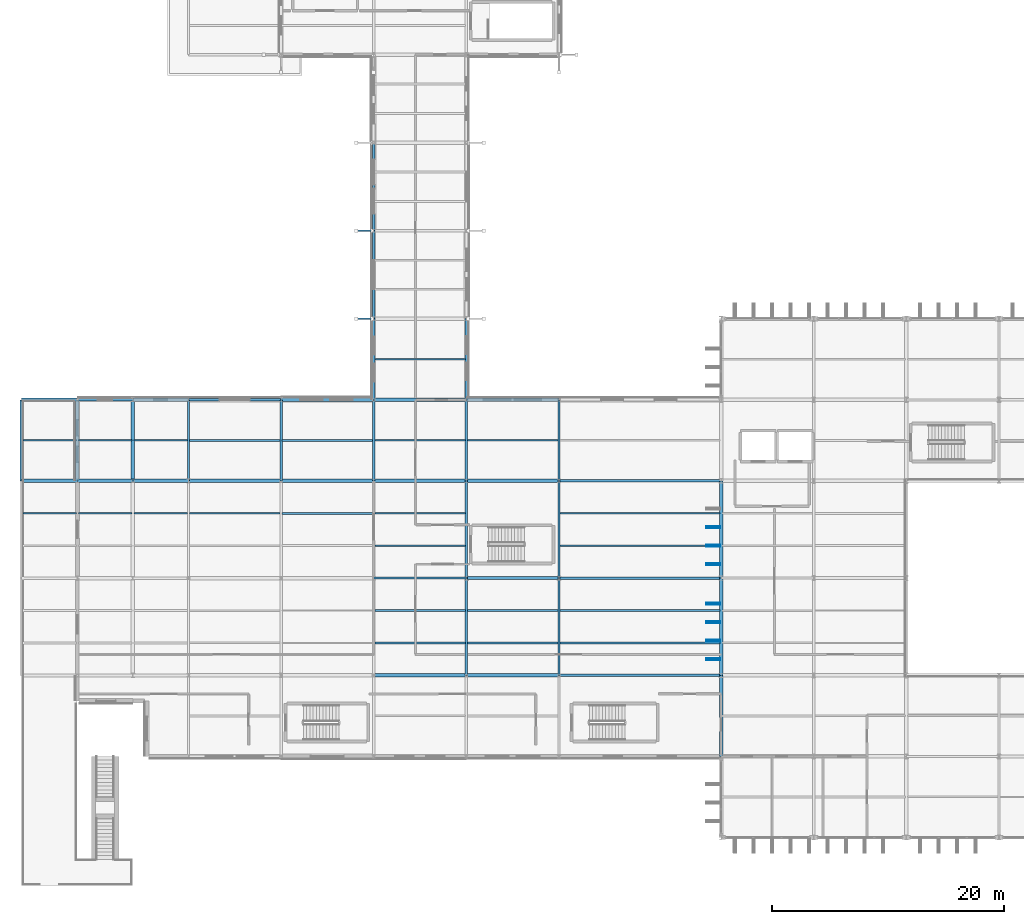
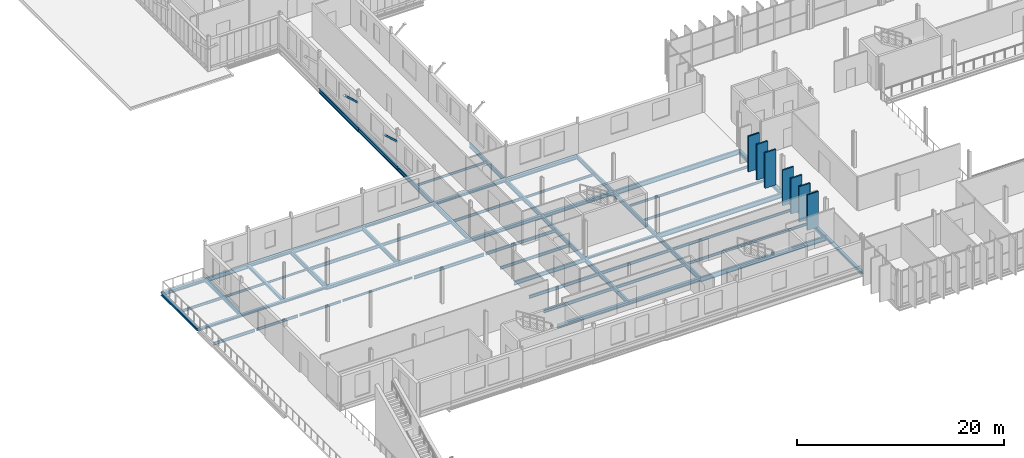
# One storey, part 20 of 101: 63 beams, 9 members.
"""IFC4 building model written with IfcOpenShell, lengths in metres."""

from ifc_helpers import new_model, si_unit, direction, frame, origin, origin_2d, place, context, subcontext, project, spatial, hollow_rectangle, i_section, extrude, material, material_profile, profile_set, type_object, element, save


model = new_model("IFC4")

# Units and contexts
model_context = context("Model", 3, precision=1e-05, world=origin(), true_north=direction((0.0, 1.0)))
body_context = subcontext(model_context, "Body", "Model", "MODEL_VIEW")
ifc_project = project(units=[si_unit("LENGTHUNIT", "METRE"), si_unit("AREAUNIT", "SQUARE_METRE"), si_unit("VOLUMEUNIT", "CUBIC_METRE"), si_unit("PLANEANGLEUNIT", "RADIAN"), si_unit("MASSUNIT", "GRAM", prefix="KILO")], contexts=[model_context])

# Site, building, storey
site_placement = place(None, origin())
site = spatial("IfcSite", under=ifc_project, at=site_placement, CompositionType="ELEMENT")
building_placement = place(site_placement, origin())
building = spatial("IfcBuilding", under=site, at=building_placement, Name="Vekula Escarpment Museum", CompositionType="ELEMENT")
storey_placement = place(building_placement, frame((0.0, 0.0, 18.0)))
storey = spatial("IfcBuildingStorey", under=building, at=storey_placement, Name="L04", CompositionType="ELEMENT", Elevation=18.0)

# Beams
ifc_material_1 = material(Name="Steel S355", Category="steel")
ifc_material_profile_1 = material_profile(ifc_material_1, i_section(OverallWidth=0.280029296875, OverallDepth=0.280029296875, WebThickness=0.010498046875, FlangeThickness=0.01806640625, FilletRadius=0.02392578125, at=origin_2d()), Name="HEB 280")
ifc_profile_set_1 = profile_set([ifc_material_profile_1], Name="Steel S355")
beam_type_1 = type_object("IfcBeamType", Name="BM-GIRD-HEB280", PredefinedType="BEAM", material=ifc_profile_set_1)
beam_1_placement = place(storey_placement, frame((32.0, 83.39990234375, -0.3798828125), z_axis=(1.0, 0.0, 0.0), x_axis=(0.0, 1.0, 0.0)))
element("IfcBeam", 1, at=beam_1_placement, inside=storey, type_object=beam_type_1, Name="Beam X L04 1767", PredefinedType="BEAM", context=body_context, shape_type="SweptSolid", body=[
    extrude(i_section(OverallWidth=0.280029296875, OverallDepth=0.280029296875, WebThickness=0.010498046875, FlangeThickness=0.01806640625, FilletRadius=0.02392578125, at=origin_2d()), origin(), (0.0, 0.0, 1.0), 8.0),
])
ifc_material_2 = material(Name="Steel S355", Category="steel")
ifc_material_profile_2 = material_profile(ifc_material_2, i_section(OverallWidth=0.300048828125, OverallDepth=0.320068359375, WebThickness=0.011474609375, FlangeThickness=0.0205078125, FilletRadius=0.027099609375, at=origin_2d()), Name="HEB 320")
ifc_profile_set_2 = profile_set([ifc_material_profile_2], Name="Steel S355")
beam_type_2 = type_object("IfcBeamType", Name="BM-GIRD-HEB320", PredefinedType="BEAM", material=ifc_profile_set_2)
beam_2_placement = place(storey_placement, frame((40.0, 83.39990234375, -0.39990234375), z_axis=(1.0, 0.0, 0.0), x_axis=(0.0, 1.0, 0.0)))
element("IfcBeam", 2, at=beam_2_placement, inside=storey, type_object=beam_type_2, Name="Beam X L04 1768", PredefinedType="BEAM", context=body_context, shape_type="SweptSolid", body=[
    extrude(i_section(OverallWidth=0.300048828125, OverallDepth=0.320068359375, WebThickness=0.011474609375, FlangeThickness=0.0205078125, FilletRadius=0.027099609375, at=origin_2d()), origin(), (0.0, 0.0, 1.0), 8.0),
])
ifc_material_3 = material(Name="Steel S355", Category="steel")
ifc_material_profile_3 = material_profile(ifc_material_3, i_section(OverallWidth=0.300048828125, OverallDepth=0.360107421875, WebThickness=0.012451171875, FlangeThickness=0.0224609375, FilletRadius=0.027099609375, at=origin_2d()), Name="HEB 360")
ifc_profile_set_3 = profile_set([ifc_material_profile_3], Name="Steel S355")
beam_type_3 = type_object("IfcBeamType", Name="BM-GIRD-HEB360", PredefinedType="BEAM", material=ifc_profile_set_3)
beam_3_placement = place(storey_placement, frame((9.60009765625, 83.39990234375, -0.419921875), z_axis=(1.0, 0.0, 0.0), x_axis=(0.0, 1.0, 0.0)))
element("IfcBeam", 3, at=beam_3_placement, inside=storey, type_object=beam_type_3, Name="Beam X L04 1763", PredefinedType="BEAM", context=body_context, shape_type="SweptSolid", body=[
    extrude(i_section(OverallWidth=0.300048828125, OverallDepth=0.360107421875, WebThickness=0.012451171875, FlangeThickness=0.0224609375, FilletRadius=0.027099609375, at=origin_2d()), origin(), (0.0, 0.0, 1.0), 4.7998046875),
])
beam_4_placement = place(storey_placement, frame((19.199951171875, 83.39990234375, -0.419921875), z_axis=(1.0, 0.0, 0.0), x_axis=(0.0, 1.0, 0.0)))
element("IfcBeam", 4, at=beam_4_placement, inside=storey, type_object=beam_type_3, Name="Beam X L04 1765", PredefinedType="BEAM", context=body_context, shape_type="SweptSolid", body=[
    extrude(i_section(OverallWidth=0.300048828125, OverallDepth=0.360107421875, WebThickness=0.012451171875, FlangeThickness=0.0224609375, FilletRadius=0.027099609375, at=origin_2d()), origin(), (0.0, 0.0, 1.0), 4.800048828125),
])
ifc_material_4 = material(Name="Steel S355", Category="steel")
ifc_material_profile_4 = material_profile(ifc_material_4, i_section(OverallWidth=0.300048828125, OverallDepth=0.39990234375, WebThickness=0.013427734375, FlangeThickness=0.02392578125, FilletRadius=0.027099609375, at=origin_2d()), Name="HEB 400")
ifc_profile_set_4 = profile_set([ifc_material_profile_4], Name="Steel S355")
beam_type_4 = type_object("IfcBeamType", Name="BM-GIRD-HEB400", PredefinedType="BEAM", material=ifc_profile_set_4)
beam_5_placement = place(storey_placement, frame((48.0, 83.39990234375, -0.43994140625), z_axis=(1.0, 0.0, 0.0), x_axis=(0.0, 1.0, 0.0)))
element("IfcBeam", 5, at=beam_5_placement, inside=storey, type_object=beam_type_4, Name="Beam X L04 1769", PredefinedType="BEAM", context=body_context, shape_type="SweptSolid", body=[
    extrude(i_section(OverallWidth=0.300048828125, OverallDepth=0.39990234375, WebThickness=0.013427734375, FlangeThickness=0.02392578125, FilletRadius=0.027099609375, at=origin_2d()), origin(), (0.0, 0.0, 1.0), 8.0),
])
ifc_material_5 = material(Name="Steel S355", Category="steel")
ifc_material_profile_5 = material_profile(ifc_material_5, i_section(OverallWidth=0.18994140625, OverallDepth=0.449951171875, WebThickness=0.009521484375, FlangeThickness=0.0146484375, FilletRadius=0.02099609375, at=origin_2d()), Name="IPE 450")
ifc_profile_set_5 = profile_set([ifc_material_profile_5], Name="Steel S355")
beam_type_5 = type_object("IfcBeamType", Name="BM-GIRD-IPE450", PredefinedType="BEAM", material=ifc_profile_set_5)
beam_6_placement = place(storey_placement, frame((40.0, 68.0, -0.465087890625), z_axis=(1.0, 0.0, 0.0), x_axis=(0.0, 1.0, 0.0)))
element("IfcBeam", 6, at=beam_6_placement, inside=storey, type_object=beam_type_5, Name="Beam X L04 1727", PredefinedType="BEAM", context=body_context, shape_type="SweptSolid", body=[
    extrude(i_section(OverallWidth=0.18994140625, OverallDepth=0.449951171875, WebThickness=0.009521484375, FlangeThickness=0.0146484375, FilletRadius=0.02099609375, at=origin_2d()), origin(), (0.0, 0.0, 1.0), 8.0),
])
ifc_material_6 = material(Name="Steel S355", Category="steel")
ifc_material_profile_6 = material_profile(ifc_material_6, i_section(OverallWidth=0.199951171875, OverallDepth=0.5, WebThickness=0.01025390625, FlangeThickness=0.01611328125, FilletRadius=0.02099609375, at=origin_2d()), Name="IPE 500")
ifc_profile_set_6 = profile_set([ifc_material_profile_6], Name="Steel S355")
beam_type_6 = type_object("IfcBeamType", Name="BM-GIRD-IPE500", PredefinedType="BEAM", material=ifc_profile_set_6)
beam_7_placement = place(storey_placement, frame((14.39990234375, 83.39990234375, -0.489990234375), z_axis=(1.0, 0.0, 0.0), x_axis=(0.0, 1.0, 0.0)))
element("IfcBeam", 7, at=beam_7_placement, inside=storey, type_object=beam_type_6, Name="Beam X L04 1764", PredefinedType="BEAM", context=body_context, shape_type="SweptSolid", body=[
    extrude(i_section(OverallWidth=0.199951171875, OverallDepth=0.5, WebThickness=0.01025390625, FlangeThickness=0.01611328125, FilletRadius=0.02099609375, at=origin_2d()), origin(), (0.0, 0.0, 1.0), 4.800048828125),
])
beam_8_placement = place(storey_placement, frame((24.0, 83.39990234375, -0.489990234375), z_axis=(1.0, 0.0, 0.0), x_axis=(0.0, 1.0, 0.0)))
element("IfcBeam", 8, at=beam_8_placement, inside=storey, type_object=beam_type_6, Name="Beam X L04 1766", PredefinedType="BEAM", context=body_context, shape_type="SweptSolid", body=[
    extrude(i_section(OverallWidth=0.199951171875, OverallDepth=0.5, WebThickness=0.01025390625, FlangeThickness=0.01611328125, FilletRadius=0.02099609375, at=origin_2d()), origin(), (0.0, 0.0, 1.0), 8.0),
])
for number, where, z_axis, x_axis, name in (
    (9, (24.0, 76.39990234375, -0.489990234375), (0.0, 1.0, 0.0), (-1.0, 0.0, 0.0), "Beam Y L04 1834"),
    (10, (32.0, 76.39990234375, -0.489990234375), (0.0, 1.0, 0.0), (-1.0, 0.0, 0.0), "Beam Y L04 1840"),
    (11, (40.0, 76.39990234375, -0.489990234375), (0.0, 1.0, 0.0), (-1.0, 0.0, 0.0), "Beam Y L04 1847"),
    (12, (40.0, 83.39990234375, -0.489990234375), (0.0, 1.0, 0.0), (-1.0, 0.0, 0.0), "Beam Y L04 1848"),
):
    element("IfcBeam", number, at=place(storey_placement, frame(where, z_axis=z_axis, x_axis=x_axis)), inside=storey, type_object=beam_type_6, Name=name, PredefinedType="BEAM", context=body_context, shape_type="SweptSolid", body=[
        extrude(i_section(OverallWidth=0.199951171875, OverallDepth=0.5, WebThickness=0.01025390625, FlangeThickness=0.01611328125, FilletRadius=0.02099609375, at=origin_2d()), origin(), (0.0, 0.0, 1.0), 7.0),
    ])
for number, where, z_axis, x_axis, name in (
    (13, (40.0, 90.39990234375, -0.489990234375), (0.0, 1.0, 0.0), (-1.0, 0.0, 0.0), "Beam Y L04 1849"),
    (14, (40.0, 98.0, -0.489990234375), (0.0, 1.0, 0.0), (-1.0, 0.0, 0.0), "Beam Y L04 1850"),
):
    element("IfcBeam", number, at=place(storey_placement, frame(where, z_axis=z_axis, x_axis=x_axis)), inside=storey, type_object=beam_type_6, Name=name, PredefinedType="BEAM", context=body_context, shape_type="SweptSolid", body=[
        extrude(i_section(OverallWidth=0.199951171875, OverallDepth=0.5, WebThickness=0.01025390625, FlangeThickness=0.01611328125, FilletRadius=0.02099609375, at=origin_2d()), origin(), (0.0, 0.0, 1.0), 7.60009765625),
    ])
for number, where, z_axis, x_axis, name in (
    (15, (48.0, 59.60009765625, -0.489990234375), (0.0, 1.0, 0.0), (-1.0, 0.0, 0.0), "Beam Y L04 1856"),
    (16, (48.0, 68.0, -0.489990234375), (0.0, 1.0, 0.0), (-1.0, 0.0, 0.0), "Beam Y L04 1857"),
):
    element("IfcBeam", number, at=place(storey_placement, frame(where, z_axis=z_axis, x_axis=x_axis)), inside=storey, type_object=beam_type_6, Name=name, PredefinedType="BEAM", context=body_context, shape_type="SweptSolid", body=[
        extrude(i_section(OverallWidth=0.199951171875, OverallDepth=0.5, WebThickness=0.01025390625, FlangeThickness=0.01611328125, FilletRadius=0.02099609375, at=origin_2d()), origin(), (0.0, 0.0, 1.0), 8.39990234375),
    ])
for number, where, z_axis, x_axis, name in (
    (17, (48.0, 76.39990234375, -0.489990234375), (0.0, 1.0, 0.0), (-1.0, 0.0, 0.0), "Beam Y L04 1858"),
    (18, (48.0, 83.39990234375, -0.489990234375), (0.0, 1.0, 0.0), (-1.0, 0.0, 0.0), "Beam Y L04 1859"),
):
    element("IfcBeam", number, at=place(storey_placement, frame(where, z_axis=z_axis, x_axis=x_axis)), inside=storey, type_object=beam_type_6, Name=name, PredefinedType="BEAM", context=body_context, shape_type="SweptSolid", body=[
        extrude(i_section(OverallWidth=0.199951171875, OverallDepth=0.5, WebThickness=0.01025390625, FlangeThickness=0.01611328125, FilletRadius=0.02099609375, at=origin_2d()), origin(), (0.0, 0.0, 1.0), 7.0),
    ])
for number, where, z_axis, x_axis, name in (
    (19, (56.0, 59.60009765625, -0.489990234375), (0.0, 1.0, 0.0), (-1.0, 0.0, 0.0), "Beam Y L04 1867"),
    (20, (56.0, 68.0, -0.489990234375), (0.0, 1.0, 0.0), (-1.0, 0.0, 0.0), "Beam Y L04 1868"),
):
    element("IfcBeam", number, at=place(storey_placement, frame(where, z_axis=z_axis, x_axis=x_axis)), inside=storey, type_object=beam_type_6, Name=name, PredefinedType="BEAM", context=body_context, shape_type="SweptSolid", body=[
        extrude(i_section(OverallWidth=0.199951171875, OverallDepth=0.5, WebThickness=0.01025390625, FlangeThickness=0.01611328125, FilletRadius=0.02099609375, at=origin_2d()), origin(), (0.0, 0.0, 1.0), 8.39990234375),
    ])
beam_9_placement = place(storey_placement, frame((56.0, 76.39990234375, -0.489990234375), z_axis=(0.0, 1.0, 0.0), x_axis=(-1.0, 0.0, 0.0)))
element("IfcBeam", 21, at=beam_9_placement, inside=storey, type_object=beam_type_6, Name="Beam Y L04 1869", PredefinedType="BEAM", context=body_context, shape_type="SweptSolid", body=[
    extrude(i_section(OverallWidth=0.199951171875, OverallDepth=0.5, WebThickness=0.01025390625, FlangeThickness=0.01611328125, FilletRadius=0.02099609375, at=origin_2d()), origin(), (0.0, 0.0, 1.0), 7.0),
])
ifc_material_7 = material(Name="Steel S355", Category="steel")
ifc_material_profile_7 = material_profile(ifc_material_7, i_section(OverallWidth=0.2099609375, OverallDepth=0.550048828125, WebThickness=0.010986328125, FlangeThickness=0.01708984375, FilletRadius=0.02392578125, at=origin_2d()), Name="IPE 550")
ifc_profile_set_7 = profile_set([ifc_material_profile_7], Name="Steel S355")
beam_type_7 = type_object("IfcBeamType", Name="BM-GIRD-IPE550", PredefinedType="BEAM", material=ifc_profile_set_7)
for number, where, z_axis, x_axis, name in (
    (22, (56.0, 59.60009765625, -0.514892578125), (1.0, 0.0, 0.0), (0.0, 1.0, 0.0), "Beam X L04 1711"),
    (23, (56.0, 68.0, -0.514892578125), (1.0, 0.0, 0.0), (0.0, 1.0, 0.0), "Beam X L04 1729"),
    (24, (56.0, 76.39990234375, -0.514892578125), (1.0, 0.0, 0.0), (0.0, 1.0, 0.0), "Beam X L04 1748"),
):
    element("IfcBeam", number, at=place(storey_placement, frame(where, z_axis=z_axis, x_axis=x_axis)), inside=storey, type_object=beam_type_7, Name=name, PredefinedType="BEAM", context=body_context, shape_type="SweptSolid", body=[
        extrude(i_section(OverallWidth=0.2099609375, OverallDepth=0.550048828125, WebThickness=0.010986328125, FlangeThickness=0.01708984375, FilletRadius=0.02392578125, at=origin_2d()), origin(), (0.0, 0.0, 1.0), 14.0),
    ])
ifc_material_8 = material(Name="Steel S355", Category="steel")
ifc_material_profile_8 = material_profile(ifc_material_8, i_section(OverallWidth=0.1201171875, OverallDepth=0.239990234375, WebThickness=0.006103515625, FlangeThickness=0.009765625, FilletRadius=0.014892578125, at=origin_2d()), Name="IPE 240")
ifc_profile_set_8 = profile_set([ifc_material_profile_8], Name="Steel S355")
beam_type_8 = type_object("IfcBeamType", Name="BM-JST-IPE240", PredefinedType="JOIST", material=ifc_profile_set_8)
beam_10_placement = place(storey_placement, frame((19.2900390625, 79.89990234375, -0.360107421875), z_axis=(1.0, 0.0, 0.0), x_axis=(0.0, 1.0, 0.0)))
element("IfcBeam", 25, at=beam_10_placement, inside=storey, type_object=beam_type_8, Name="Secondary Joist L04 1147", PredefinedType="JOIST", context=body_context, shape_type="SweptSolid", body=[
    extrude(i_section(OverallWidth=0.1201171875, OverallDepth=0.239990234375, WebThickness=0.006103515625, FlangeThickness=0.009765625, FilletRadius=0.014892578125, at=origin_2d()), origin(), (0.0, 0.0, 1.0), 4.619873046875),
])
beam_11_placement = place(storey_placement, frame((24.090087890625, 73.60009765625, -0.360107421875), z_axis=(1.0, 0.0, 0.0), x_axis=(0.0, 1.0, 0.0)))
element("IfcBeam", 26, at=beam_11_placement, inside=storey, type_object=beam_type_8, Name="Secondary Joist L04 1152", PredefinedType="JOIST", context=body_context, shape_type="SweptSolid", body=[
    extrude(i_section(OverallWidth=0.1201171875, OverallDepth=0.239990234375, WebThickness=0.006103515625, FlangeThickness=0.009765625, FilletRadius=0.014892578125, at=origin_2d()), origin(), (0.0, 0.0, 1.0), 7.81982421875),
])
ifc_material_9 = material(Name="Steel S355", Category="steel")
ifc_material_profile_9 = material_profile(ifc_material_9, i_section(OverallWidth=0.135009765625, OverallDepth=0.27001953125, WebThickness=0.006591796875, FlangeThickness=0.01025390625, FilletRadius=0.014892578125, at=origin_2d()), Name="IPE 270")
ifc_profile_set_9 = profile_set([ifc_material_profile_9], Name="Steel S355")
beam_type_9 = type_object("IfcBeamType", Name="BM-JST-IPE270", PredefinedType="JOIST", material=ifc_profile_set_9)
beam_12_placement = place(storey_placement, frame((14.489990234375, 79.89990234375, -0.375), z_axis=(1.0, 0.0, 0.0), x_axis=(0.0, 1.0, 0.0)))
element("IfcBeam", 27, at=beam_12_placement, inside=storey, type_object=beam_type_9, Name="Secondary Joist L04 1142", PredefinedType="JOIST", context=body_context, shape_type="SweptSolid", body=[
    extrude(i_section(OverallWidth=0.135009765625, OverallDepth=0.27001953125, WebThickness=0.006591796875, FlangeThickness=0.01025390625, FilletRadius=0.014892578125, at=origin_2d()), origin(), (0.0, 0.0, 1.0), 4.6201171875),
])
beam_13_placement = place(storey_placement, frame((19.2900390625, 73.60009765625, -0.375), z_axis=(1.0, 0.0, 0.0), x_axis=(0.0, 1.0, 0.0)))
element("IfcBeam", 28, at=beam_13_placement, inside=storey, type_object=beam_type_9, Name="Secondary Joist L04 1146", PredefinedType="JOIST", context=body_context, shape_type="SweptSolid", body=[
    extrude(i_section(OverallWidth=0.135009765625, OverallDepth=0.27001953125, WebThickness=0.006591796875, FlangeThickness=0.01025390625, FilletRadius=0.014892578125, at=origin_2d()), origin(), (0.0, 0.0, 1.0), 4.619873046875),
])
for number, where, z_axis, x_axis, name in (
    (29, (40.090087890625, 86.89990234375, -0.375), (1.0, 0.0, 0.0), (0.0, 1.0, 0.0), "Secondary Joist L04 1171"),
    (30, (48.090087890625, 79.89990234375, -0.375), (1.0, 0.0, 0.0), (0.0, 1.0, 0.0), "Secondary Joist L04 1187"),
):
    element("IfcBeam", number, at=place(storey_placement, frame(where, z_axis=z_axis, x_axis=x_axis)), inside=storey, type_object=beam_type_9, Name=name, PredefinedType="JOIST", context=body_context, shape_type="SweptSolid", body=[
        extrude(i_section(OverallWidth=0.135009765625, OverallDepth=0.27001953125, WebThickness=0.006591796875, FlangeThickness=0.01025390625, FilletRadius=0.014892578125, at=origin_2d()), origin(), (0.0, 0.0, 1.0), 7.81982421875),
    ])
for number, where, z_axis, x_axis, name in (
    (31, (56.090087890625, 70.800048828125, -0.375), (1.0, 0.0, 0.0), (0.0, 1.0, 0.0), "Secondary Joist L04 1194"),
    (32, (56.090087890625, 73.60009765625, -0.375), (1.0, 0.0, 0.0), (0.0, 1.0, 0.0), "Secondary Joist L04 1195"),
):
    element("IfcBeam", number, at=place(storey_placement, frame(where, z_axis=z_axis, x_axis=x_axis)), inside=storey, type_object=beam_type_9, Name=name, PredefinedType="JOIST", context=body_context, shape_type="SweptSolid", body=[
        extrude(i_section(OverallWidth=0.135009765625, OverallDepth=0.27001953125, WebThickness=0.006591796875, FlangeThickness=0.01025390625, FilletRadius=0.014892578125, at=origin_2d()), origin(), (0.0, 0.0, 1.0), 13.81982421875),
    ])
ifc_material_10 = material(Name="Steel S355", Category="steel")
ifc_material_profile_10 = material_profile(ifc_material_10, i_section(OverallWidth=0.14990234375, OverallDepth=0.300048828125, WebThickness=0.007080078125, FlangeThickness=0.0107421875, FilletRadius=0.014892578125, at=origin_2d()), Name="IPE 300")
ifc_profile_set_10 = profile_set([ifc_material_profile_10], Name="Steel S355")
beam_type_10 = type_object("IfcBeamType", Name="BM-JST-IPE300", PredefinedType="JOIST", material=ifc_profile_set_10)
for number, where, z_axis, x_axis, name in (
    (33, (9.68994140625, 79.89990234375, -0.389892578125), (1.0, 0.0, 0.0), (0.0, 1.0, 0.0), "Secondary Joist L04 1137"),
    (34, (14.489990234375, 73.60009765625, -0.389892578125), (1.0, 0.0, 0.0), (0.0, 1.0, 0.0), "Secondary Joist L04 1141"),
):
    element("IfcBeam", number, at=place(storey_placement, frame(where, z_axis=z_axis, x_axis=x_axis)), inside=storey, type_object=beam_type_10, Name=name, PredefinedType="JOIST", context=body_context, shape_type="SweptSolid", body=[
        extrude(i_section(OverallWidth=0.14990234375, OverallDepth=0.300048828125, WebThickness=0.007080078125, FlangeThickness=0.0107421875, FilletRadius=0.014892578125, at=origin_2d()), origin(), (0.0, 0.0, 1.0), 4.6201171875),
    ])
beam_14_placement = place(storey_placement, frame((40.090087890625, 79.89990234375, -0.389892578125), z_axis=(1.0, 0.0, 0.0), x_axis=(0.0, 1.0, 0.0)))
element("IfcBeam", 35, at=beam_14_placement, inside=storey, type_object=beam_type_10, Name="Secondary Joist L04 1170", PredefinedType="JOIST", context=body_context, shape_type="SweptSolid", body=[
    extrude(i_section(OverallWidth=0.14990234375, OverallDepth=0.300048828125, WebThickness=0.007080078125, FlangeThickness=0.0107421875, FilletRadius=0.014892578125, at=origin_2d()), origin(), (0.0, 0.0, 1.0), 7.81982421875),
])
for number, where, z_axis, x_axis, name in (
    (36, (56.090087890625, 62.39990234375, -0.389892578125), (1.0, 0.0, 0.0), (0.0, 1.0, 0.0), "Secondary Joist L04 1192"),
    (37, (56.090087890625, 65.199951171875, -0.389892578125), (1.0, 0.0, 0.0), (0.0, 1.0, 0.0), "Secondary Joist L04 1193"),
):
    element("IfcBeam", number, at=place(storey_placement, frame(where, z_axis=z_axis, x_axis=x_axis)), inside=storey, type_object=beam_type_10, Name=name, PredefinedType="JOIST", context=body_context, shape_type="SweptSolid", body=[
        extrude(i_section(OverallWidth=0.14990234375, OverallDepth=0.300048828125, WebThickness=0.007080078125, FlangeThickness=0.0107421875, FilletRadius=0.014892578125, at=origin_2d()), origin(), (0.0, 0.0, 1.0), 13.81982421875),
    ])
ifc_material_11 = material(Name="Steel S355", Category="steel")
ifc_material_profile_11 = material_profile(ifc_material_11, i_section(OverallWidth=0.159912109375, OverallDepth=0.330078125, WebThickness=0.007568359375, FlangeThickness=0.011474609375, FilletRadius=0.01806640625, at=origin_2d()), Name="IPE 330")
ifc_profile_set_11 = profile_set([ifc_material_profile_11], Name="Steel S355")
beam_type_11 = type_object("IfcBeamType", Name="BM-JST-IPE330", PredefinedType="JOIST", material=ifc_profile_set_11)
beam_15_placement = place(storey_placement, frame((9.68994140625, 73.60009765625, -0.405029296875), z_axis=(1.0, 0.0, 0.0), x_axis=(0.0, 1.0, 0.0)))
element("IfcBeam", 38, at=beam_15_placement, inside=storey, type_object=beam_type_11, Name="Secondary Joist L04 1136", PredefinedType="JOIST", context=body_context, shape_type="SweptSolid", body=[
    extrude(i_section(OverallWidth=0.159912109375, OverallDepth=0.330078125, WebThickness=0.007568359375, FlangeThickness=0.011474609375, FilletRadius=0.01806640625, at=origin_2d()), origin(), (0.0, 0.0, 1.0), 4.6201171875),
])
for number, where, z_axis, x_axis, name in (
    (39, (32.090087890625, 79.89990234375, -0.405029296875), (1.0, 0.0, 0.0), (0.0, 1.0, 0.0), "Secondary Joist L04 1162"),
    (40, (40.090087890625, 70.800048828125, -0.405029296875), (1.0, 0.0, 0.0), (0.0, 1.0, 0.0), "Secondary Joist L04 1168"),
    (41, (40.090087890625, 73.60009765625, -0.405029296875), (1.0, 0.0, 0.0), (0.0, 1.0, 0.0), "Secondary Joist L04 1169"),
    (42, (48.090087890625, 62.39990234375, -0.405029296875), (1.0, 0.0, 0.0), (0.0, 1.0, 0.0), "Secondary Joist L04 1185"),
    (43, (48.090087890625, 65.199951171875, -0.405029296875), (1.0, 0.0, 0.0), (0.0, 1.0, 0.0), "Secondary Joist L04 1186"),
):
    element("IfcBeam", number, at=place(storey_placement, frame(where, z_axis=z_axis, x_axis=x_axis)), inside=storey, type_object=beam_type_11, Name=name, PredefinedType="JOIST", context=body_context, shape_type="SweptSolid", body=[
        extrude(i_section(OverallWidth=0.159912109375, OverallDepth=0.330078125, WebThickness=0.007568359375, FlangeThickness=0.011474609375, FilletRadius=0.01806640625, at=origin_2d()), origin(), (0.0, 0.0, 1.0), 7.81982421875),
    ])
ifc_material_12 = material(Name="Steel S355", Category="steel")
ifc_material_profile_12 = material_profile(ifc_material_12, i_section(OverallWidth=0.169921875, OverallDepth=0.360107421875, WebThickness=0.008056640625, FlangeThickness=0.0126953125, FilletRadius=0.01806640625, at=origin_2d()), Name="IPE 360")
ifc_profile_set_12 = profile_set([ifc_material_profile_12], Name="Steel S355")
beam_type_12 = type_object("IfcBeamType", Name="BM-JST-IPE360", PredefinedType="JOIST", material=ifc_profile_set_12)
for number, where, z_axis, x_axis, name in (
    (44, (24.090087890625, 79.89990234375, -0.419921875), (1.0, 0.0, 0.0), (0.0, 1.0, 0.0), "Secondary Joist L04 1153"),
    (45, (32.090087890625, 73.60009765625, -0.419921875), (1.0, 0.0, 0.0), (0.0, 1.0, 0.0), "Secondary Joist L04 1161"),
    (46, (40.090087890625, 62.39990234375, -0.419921875), (1.0, 0.0, 0.0), (0.0, 1.0, 0.0), "Secondary Joist L04 1166"),
    (47, (40.090087890625, 65.199951171875, -0.419921875), (1.0, 0.0, 0.0), (0.0, 1.0, 0.0), "Secondary Joist L04 1167"),
):
    element("IfcBeam", number, at=place(storey_placement, frame(where, z_axis=z_axis, x_axis=x_axis)), inside=storey, type_object=beam_type_12, Name=name, PredefinedType="JOIST", context=body_context, shape_type="SweptSolid", body=[
        extrude(i_section(OverallWidth=0.169921875, OverallDepth=0.360107421875, WebThickness=0.008056640625, FlangeThickness=0.0126953125, FilletRadius=0.01806640625, at=origin_2d()), origin(), (0.0, 0.0, 1.0), 7.81982421875),
    ])
ifc_material_13 = material(Name="Steel S355", Category="steel")
ifc_material_profile_13 = material_profile(ifc_material_13, i_section(OverallWidth=0.239990234375, OverallDepth=0.22998046875, WebThickness=0.007568359375, FlangeThickness=0.011962890625, FilletRadius=0.02099609375, at=origin_2d()), Name="HEA 240")
ifc_profile_set_13 = profile_set([ifc_material_profile_13], Name="Steel S355")
beam_type_13 = type_object("IfcBeamType", Name="BM-SPAN-HEA240", PredefinedType="SPANDREL", material=ifc_profile_set_13)
beam_16_placement = place(storey_placement, frame((48.0, 68.0, -0.35498046875), z_axis=(1.0, 0.0, 0.0), x_axis=(0.0, 1.0, 0.0)))
element("IfcBeam", 48, at=beam_16_placement, inside=storey, type_object=beam_type_13, Name="Beam X L04 1728", PredefinedType="SPANDREL", context=body_context, shape_type="SweptSolid", body=[
    extrude(i_section(OverallWidth=0.239990234375, OverallDepth=0.22998046875, WebThickness=0.007568359375, FlangeThickness=0.011962890625, FilletRadius=0.02099609375, at=origin_2d()), origin(), (0.0, 0.0, 1.0), 8.0),
])
ifc_material_14 = material(Name="Steel S355", Category="steel")
ifc_material_profile_14 = material_profile(ifc_material_14, i_section(OverallWidth=0.280029296875, OverallDepth=0.27001953125, WebThickness=0.008056640625, FlangeThickness=0.012939453125, FilletRadius=0.02392578125, at=origin_2d()), Name="HEA 280")
ifc_profile_set_14 = profile_set([ifc_material_profile_14], Name="Steel S355")
beam_type_14 = type_object("IfcBeamType", Name="BM-SPAN-HEA280", PredefinedType="SPANDREL", material=ifc_profile_set_14)
beam_17_placement = place(storey_placement, frame((9.60009765625, 76.39990234375, -0.375), z_axis=(1.0, 0.0, 0.0), x_axis=(0.0, 1.0, 0.0)))
element("IfcBeam", 49, at=beam_17_placement, inside=storey, type_object=beam_type_14, Name="Beam X L04 1741", PredefinedType="SPANDREL", context=body_context, shape_type="SweptSolid", body=[
    extrude(i_section(OverallWidth=0.280029296875, OverallDepth=0.27001953125, WebThickness=0.008056640625, FlangeThickness=0.012939453125, FilletRadius=0.02392578125, at=origin_2d()), origin(), (0.0, 0.0, 1.0), 4.7998046875),
])
for number, where, z_axis, x_axis, name in (
    (50, (14.39990234375, 76.39990234375, -0.375), (1.0, 0.0, 0.0), (0.0, 1.0, 0.0), "Beam X L04 1742"),
    (51, (19.199951171875, 76.39990234375, -0.375), (1.0, 0.0, 0.0), (0.0, 1.0, 0.0), "Beam X L04 1743"),
):
    element("IfcBeam", number, at=place(storey_placement, frame(where, z_axis=z_axis, x_axis=x_axis)), inside=storey, type_object=beam_type_14, Name=name, PredefinedType="SPANDREL", context=body_context, shape_type="SweptSolid", body=[
        extrude(i_section(OverallWidth=0.280029296875, OverallDepth=0.27001953125, WebThickness=0.008056640625, FlangeThickness=0.012939453125, FilletRadius=0.02392578125, at=origin_2d()), origin(), (0.0, 0.0, 1.0), 4.800048828125),
    ])
ifc_material_15 = material(Name="Steel S355", Category="steel")
ifc_material_profile_15 = material_profile(ifc_material_15, i_section(OverallWidth=0.300048828125, OverallDepth=0.2900390625, WebThickness=0.008544921875, FlangeThickness=0.013916015625, FilletRadius=0.027099609375, at=origin_2d()), Name="HEA 300")
ifc_profile_set_15 = profile_set([ifc_material_profile_15], Name="Steel S355")
beam_type_15 = type_object("IfcBeamType", Name="BM-SPAN-HEA300", PredefinedType="SPANDREL", material=ifc_profile_set_15)
for number, where, z_axis, x_axis, name in (
    (52, (9.60009765625, 76.39990234375, -0.364990234375), (0.0, 1.0, 0.0), (-1.0, 0.0, 0.0), "Beam Y L04 1824"),
    (53, (14.39990234375, 76.39990234375, -0.385009765625), (0.0, 1.0, 0.0), (-1.0, 0.0, 0.0), "Beam Y L04 1827"),
    (54, (19.199951171875, 76.39990234375, -0.385009765625), (0.0, 1.0, 0.0), (-1.0, 0.0, 0.0), "Beam Y L04 1830"),
    (55, (70.0, 52.60009765625, -0.385009765625), (0.0, 1.0, 0.0), (-1.0, 0.0, 0.0), "Beam Y L04 1874"),
):
    element("IfcBeam", number, at=place(storey_placement, frame(where, z_axis=z_axis, x_axis=x_axis)), inside=storey, type_object=beam_type_15, Name=name, PredefinedType="SPANDREL", context=body_context, shape_type="SweptSolid", body=[
        extrude(i_section(OverallWidth=0.300048828125, OverallDepth=0.2900390625, WebThickness=0.008544921875, FlangeThickness=0.013916015625, FilletRadius=0.027099609375, at=origin_2d()), origin(), (0.0, 0.0, 1.0), 7.0),
    ])
ifc_material_16 = material(Name="Steel S355", Category="steel")
ifc_material_profile_16 = material_profile(ifc_material_16, i_section(OverallWidth=0.300048828125, OverallDepth=0.389892578125, WebThickness=0.010986328125, FlangeThickness=0.01904296875, FilletRadius=0.027099609375, at=origin_2d()), Name="HEA 400")
ifc_profile_set_16 = profile_set([ifc_material_profile_16], Name="Steel S355")
beam_type_16 = type_object("IfcBeamType", Name="BM-SPAN-HEA400", PredefinedType="SPANDREL", material=ifc_profile_set_16)
for number, where, z_axis, x_axis, name in (
    (56, (40.0, 59.60009765625, -0.43505859375), (1.0, 0.0, 0.0), (0.0, 1.0, 0.0), "Beam X L04 1709"),
    (57, (48.0, 59.60009765625, -0.43505859375), (1.0, 0.0, 0.0), (0.0, 1.0, 0.0), "Beam X L04 1710"),
    (58, (24.0, 76.39990234375, -0.43505859375), (1.0, 0.0, 0.0), (0.0, 1.0, 0.0), "Beam X L04 1744"),
    (59, (32.0, 76.39990234375, -0.43505859375), (1.0, 0.0, 0.0), (0.0, 1.0, 0.0), "Beam X L04 1745"),
    (60, (40.0, 76.39990234375, -0.43505859375), (1.0, 0.0, 0.0), (0.0, 1.0, 0.0), "Beam X L04 1746"),
    (61, (48.0, 76.39990234375, -0.43505859375), (1.0, 0.0, 0.0), (0.0, 1.0, 0.0), "Beam X L04 1747"),
):
    element("IfcBeam", number, at=place(storey_placement, frame(where, z_axis=z_axis, x_axis=x_axis)), inside=storey, type_object=beam_type_16, Name=name, PredefinedType="SPANDREL", context=body_context, shape_type="SweptSolid", body=[
        extrude(i_section(OverallWidth=0.300048828125, OverallDepth=0.389892578125, WebThickness=0.010986328125, FlangeThickness=0.01904296875, FilletRadius=0.027099609375, at=origin_2d()), origin(), (0.0, 0.0, 1.0), 8.0),
    ])
ifc_material_17 = material(Name="Steel S355", Category="steel")
ifc_material_profile_17 = material_profile(ifc_material_17, i_section(OverallWidth=0.300048828125, OverallDepth=0.43994140625, WebThickness=0.011474609375, FlangeThickness=0.02099609375, FilletRadius=0.027099609375, at=origin_2d()), Name="HEA 450")
ifc_profile_set_17 = profile_set([ifc_material_profile_17], Name="Steel S355")
beam_type_17 = type_object("IfcBeamType", Name="BM-SPAN-HEA450", PredefinedType="SPANDREL", material=ifc_profile_set_17)
for number, where, z_axis, x_axis, name in (
    (62, (70.0, 59.60009765625, -0.4599609375), (0.0, 1.0, 0.0), (-1.0, 0.0, 0.0), "Beam Y L04 1875"),
    (63, (70.0, 68.0, -0.4599609375), (0.0, 1.0, 0.0), (-1.0, 0.0, 0.0), "Beam Y L04 1876"),
):
    element("IfcBeam", number, at=place(storey_placement, frame(where, z_axis=z_axis, x_axis=x_axis)), inside=storey, type_object=beam_type_17, Name=name, PredefinedType="SPANDREL", context=body_context, shape_type="SweptSolid", body=[
        extrude(i_section(OverallWidth=0.300048828125, OverallDepth=0.43994140625, WebThickness=0.011474609375, FlangeThickness=0.02099609375, FilletRadius=0.027099609375, at=origin_2d()), origin(), (0.0, 0.0, 1.0), 8.39990234375),
    ])

# Members
ifc_material_18 = material(Name="Steel S355", Category="steel")
ifc_material_profile_18 = material_profile(ifc_material_18, hollow_rectangle(XDim=0.10009765625, YDim=0.199951171875, WallThickness=0.008056640625, InnerFilletRadius=0.008056640625, OuterFilletRadius=0.01611328125, at=origin_2d()), Name="RHS 200x100x8")
ifc_profile_set_18 = profile_set([ifc_material_profile_18], Name="Steel S355")
member_type_1 = type_object("IfcMemberType", Name="MB-SACAK-BRK", PredefinedType="STRUT", material=ifc_profile_set_18)
for number, where, z_axis, x_axis, name in (
    (64, (39.8798828125, 90.39990234375, 2.75), (-0.738454378718, 0.0, 0.674303441006), (0.0, -1.0, 0.0), "Ottoman Sacak Eave Bracket L05-0108"),
    (65, (39.8798828125, 98.0, 2.75), (-0.738454378718, 0.0, 0.674303441006), (0.0, -1.0, 0.0), "Ottoman Sacak Eave Bracket L05-0109"),
):
    element("IfcMember", number, at=place(storey_placement, frame(where, z_axis=z_axis, x_axis=x_axis)), inside=storey, type_object=member_type_1, Name=name, PredefinedType="STRUT", context=body_context, shape_type="SweptSolid", body=[
        extrude(hollow_rectangle(XDim=0.10009765625, YDim=0.199951171875, WallThickness=0.008056640625, InnerFilletRadius=0.008056640625, OuterFilletRadius=0.01611328125, at=origin_2d()), origin(), (0.0, 0.0, 1.0), 1.86865234375),
    ])
ifc_material_19 = material(Name="Steel S355 weathered bronze solar fin", Category="steel")
ifc_material_profile_19 = material_profile(ifc_material_19, hollow_rectangle(XDim=0.179931640625, YDim=1.25, WallThickness=0.010009765625, InnerFilletRadius=0.010009765625, OuterFilletRadius=0.02001953125, at=origin_2d()), Name="RHS 1250x180x10")
ifc_profile_set_19 = profile_set([ifc_material_profile_19], Name="Steel S355 weathered bronze solar fin")
member_type_2 = type_object("IfcMemberType", Name="MB-SOLAR-FIN", PredefinedType="USERDEFINED", material=ifc_profile_set_19)
for number, where, z_axis, x_axis, name in (
    (66, (69.320068359375, 61.0, 0.0), (0.0, 0.0, 1.0), (0.0, 1.0, 0.0), "Great Hall Vertical Solar Fin 0299"),
    (67, (69.320068359375, 62.60009765625, 0.0), (0.0, 0.0, 1.0), (0.0, 1.0, 0.0), "Great Hall Vertical Solar Fin 0304"),
    (68, (69.320068359375, 64.199951171875, 0.0), (0.0, 0.0, 1.0), (0.0, 1.0, 0.0), "Great Hall Vertical Solar Fin 0309"),
    (69, (69.320068359375, 65.800048828125, 0.0), (0.0, 0.0, 1.0), (0.0, 1.0, 0.0), "Great Hall Vertical Solar Fin 0314"),
    (70, (69.320068359375, 69.199951171875, 0.0), (0.0, 0.0, 1.0), (0.0, 1.0, 0.0), "Great Hall Vertical Solar Fin 0319"),
    (71, (69.320068359375, 70.800048828125, 0.0), (0.0, 0.0, 1.0), (0.0, 1.0, 0.0), "Great Hall Vertical Solar Fin 0324"),
    (72, (69.320068359375, 72.39990234375, 0.0), (0.0, 0.0, 1.0), (0.0, 1.0, 0.0), "Great Hall Vertical Solar Fin 0329"),
):
    element("IfcMember", number, at=place(storey_placement, frame(where, z_axis=z_axis, x_axis=x_axis)), inside=storey, type_object=member_type_2, Name=name, ObjectType="SOLAR FIN", PredefinedType="USERDEFINED", context=body_context, shape_type="SweptSolid", body=[
        extrude(hollow_rectangle(XDim=0.179931640625, YDim=1.25, WallThickness=0.010009765625, InnerFilletRadius=0.010009765625, OuterFilletRadius=0.02001953125, at=origin_2d()), origin(), (0.0, 0.0, 1.0), 4.199951171875),
    ])

save(model, "model.ifc")
